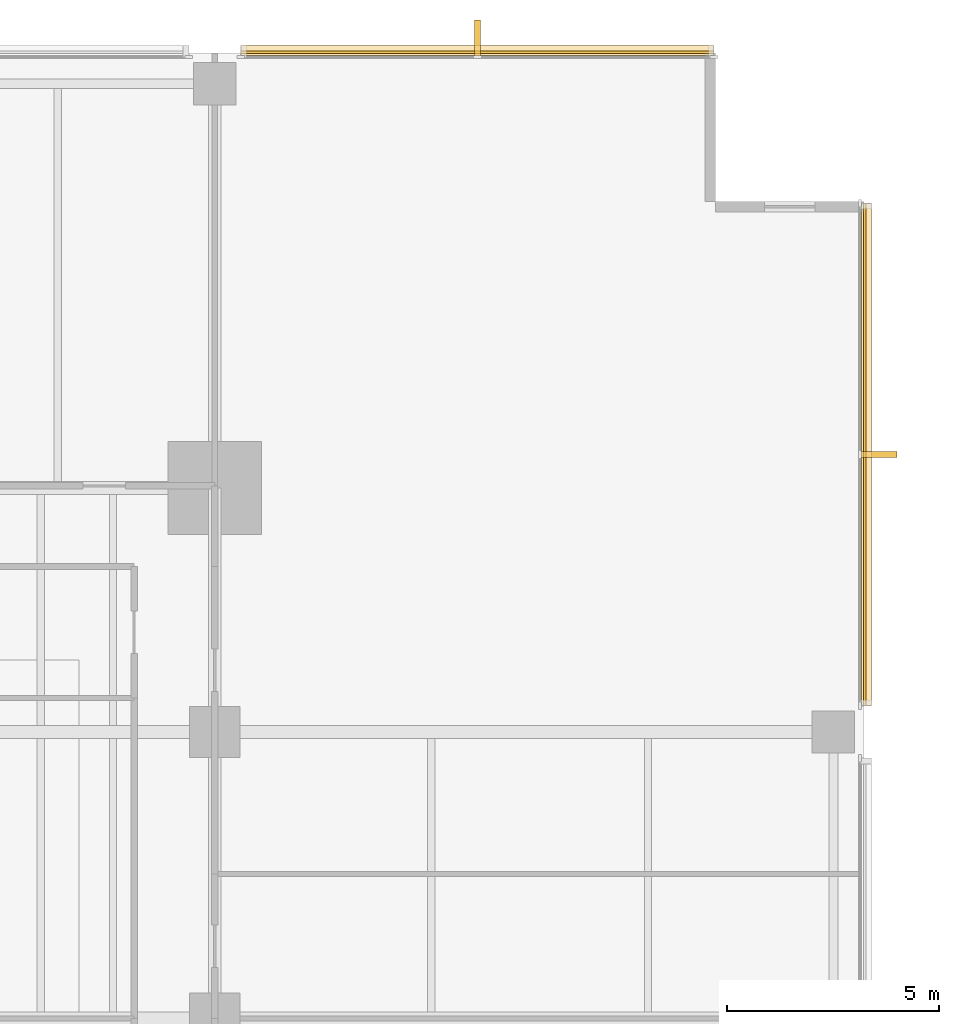
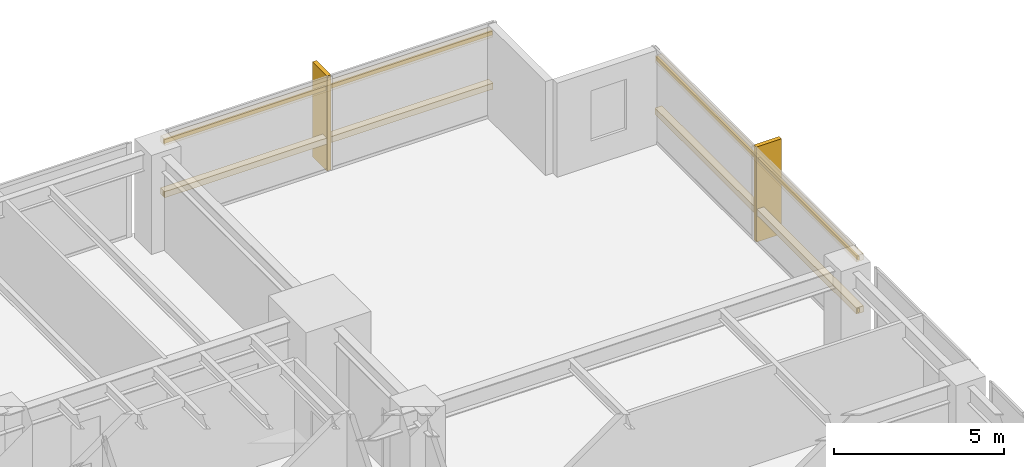
# One storey, part 15 of 15: 6 coverings, 4 shading devices.
"""IFC4 building model written with IfcOpenShell, lengths in metres."""

from ifc_helpers import new_model, si_unit, direction, frame, origin, origin_2d, place, context, subcontext, project, spatial, polyline, rectangle, outline, extrude, material, layer, layer_set, material_profile, profile_set, type_object, element, save


model = new_model("IFC4")

# Units and contexts
model_context = context("Model", 3, precision=1e-05, world=origin(), true_north=direction((0.0, 1.0)))
body_context = subcontext(model_context, "Body", "Model", "MODEL_VIEW")
ifc_project = project(units=[si_unit("LENGTHUNIT", "METRE"), si_unit("AREAUNIT", "SQUARE_METRE"), si_unit("VOLUMEUNIT", "CUBIC_METRE"), si_unit("PLANEANGLEUNIT", "RADIAN"), si_unit("MASSUNIT", "GRAM", prefix="KILO")], contexts=[model_context])

# Site, building, storey
site_placement = place(None, origin())
site = spatial("IfcSite", under=ifc_project, at=site_placement, CompositionType="ELEMENT")
building_placement = place(site_placement, origin())
building = spatial("IfcBuilding", under=site, at=building_placement, Name="Kinhvarn Gate Tower", CompositionType="ELEMENT")
storey_placement = place(building_placement, frame((0.0, 0.0, 57.550048828125)))
storey = spatial("IfcBuildingStorey", under=building, at=storey_placement, Name="L14", CompositionType="ELEMENT", Elevation=57.550048828125)

# Coverings
ifc_material = material(Name="Fired architectural terracotta", Category="masonry")
ifc_layer_1 = layer(ifc_material, 0.239990234375)
ifc_layer_set_1 = layer_set([ifc_layer_1], Name="Fired architectural terracotta")
covering_type_1 = type_object("IfcCoveringType", Name="COV-BAG-220", PredefinedType="CLADDING", material=ifc_layer_set_1)
for number, where, name in (
    (1, (0.0, 0.0, 0.93994140625), "Terracotta Horizontal Sunscreen Band TBG-220 (L14)"),
    (2, (0.0, 0.0, 2.81005859375), "Terracotta Horizontal Sunscreen Band TBG-220 (L14)"),
):
    element("IfcCovering", number, at=place(storey_placement, frame(where)), inside=storey, type_object=covering_type_1, Name=name, PredefinedType="CLADDING", context=body_context, shape_type="SweptSolid", body=[
        extrude(outline(polyline([(49.9599609375, 47.93994140625), (38.820068359375, 47.93994140625), (38.820068359375, 48.179931640625), (49.9599609375, 48.179931640625), (49.9599609375, 47.93994140625)])), origin(), (0.0, 0.0, 1.0), 0.219970703125),
    ])
for number, where, name in (
    (3, (0.0, 0.0, 0.93994140625), "Terracotta Horizontal Sunscreen Band TBG-220 (L14)"),
    (4, (0.0, 0.0, 2.81005859375), "Terracotta Horizontal Sunscreen Band TBG-220 (L14)"),
):
    element("IfcCovering", number, at=place(storey_placement, frame(where)), inside=storey, type_object=covering_type_1, Name=name, PredefinedType="CLADDING", context=body_context, shape_type="SweptSolid", body=[
        extrude(outline(polyline([(53.43994140625, 32.6201171875), (53.43994140625, 44.4599609375), (53.679931640625, 44.4599609375), (53.679931640625, 32.6201171875), (53.43994140625, 32.6201171875)])), origin(), (0.0, 0.0, 1.0), 0.219970703125),
    ])
ifc_layer_2 = layer(ifc_material, 0.139892578125)
ifc_layer_set_2 = layer_set([ifc_layer_2], Name="Fired architectural terracotta")
covering_type_2 = type_object("IfcCoveringType", Name="COV-FIN-850", PredefinedType="CLADDING", material=ifc_layer_set_2)
covering_1_placement = place(storey_placement, frame((0.0, 0.0, -0.02001953125)))
element("IfcCovering", 5, at=covering_1_placement, inside=storey, type_object=covering_type_2, Name="Vertical Terracotta Expressive Fin TFN-850 (L14)", PredefinedType="CLADDING", context=body_context, shape_type="SweptSolid", body=[
    extrude(outline(polyline([(44.4599609375, 47.929931640625), (44.320068359375, 47.929931640625), (44.320068359375, 48.780029296875), (44.4599609375, 48.780029296875), (44.4599609375, 47.929931640625)])), origin(), (0.0, 0.0, 1.0), 3.409912109375),
])
covering_2_placement = place(storey_placement, frame((0.0, 0.0, -0.02001953125)))
element("IfcCovering", 6, at=covering_2_placement, inside=storey, type_object=covering_type_2, Name="Vertical Terracotta Expressive Fin TFN-850 (L14)", PredefinedType="CLADDING", context=body_context, shape_type="SweptSolid", body=[
    extrude(outline(polyline([(53.429931640625, 38.469970703125), (53.429931640625, 38.610107421875), (54.280029296875, 38.610107421875), (54.280029296875, 38.469970703125), (53.429931640625, 38.469970703125)])), origin(), (0.0, 0.0, 1.0), 3.409912109375),
])

# Shading devices
ifc_material_profile = material_profile(ifc_material, rectangle(XDim=0.06005859375, YDim=0.139892578125, at=origin_2d()), Name="TC 60x140")
ifc_profile_set = profile_set([ifc_material_profile], Name="Fired architectural terracotta")
shading_device_type = type_object("IfcShadingDeviceType", Name="SHD-BAG-180", PredefinedType="USERDEFINED", material=ifc_profile_set)
for number, where, z_axis, x_axis, name in (
    (7, (49.9599609375, 48.014892578125, 1.050048828125), (-1.0, 0.0, 0.0), (0.0, -1.0, 0.0), "Fired Terracotta Baguette Screen Rod 60x140 mm (L14)"),
    (8, (49.9599609375, 48.014892578125, 2.919921875), (-1.0, 0.0, 0.0), (0.0, -1.0, 0.0), "Fired Terracotta Baguette Screen Rod 60x140 mm (L14)"),
):
    element("IfcShadingDevice", number, at=place(storey_placement, frame(where, z_axis=z_axis, x_axis=x_axis)), inside=storey, type_object=shading_device_type, Name=name, ObjectType="BAGUETTE", PredefinedType="USERDEFINED", context=body_context, shape_type="SweptSolid", body=[
        extrude(rectangle(XDim=0.06005859375, YDim=0.139892578125, at=origin_2d()), origin(), (0.0, 0.0, 1.0), 11.139892578125),
    ])
for number, where, z_axis, x_axis, name in (
    (9, (53.514892578125, 32.6201171875, 1.050048828125), (0.0, 1.0, 0.0), (-1.0, 0.0, 0.0), "Fired Terracotta Baguette Screen Rod 60x140 mm (L14)"),
    (10, (53.514892578125, 32.6201171875, 2.919921875), (0.0, 1.0, 0.0), (-1.0, 0.0, 0.0), "Fired Terracotta Baguette Screen Rod 60x140 mm (L14)"),
):
    element("IfcShadingDevice", number, at=place(storey_placement, frame(where, z_axis=z_axis, x_axis=x_axis)), inside=storey, type_object=shading_device_type, Name=name, ObjectType="BAGUETTE", PredefinedType="USERDEFINED", context=body_context, shape_type="SweptSolid", body=[
        extrude(rectangle(XDim=0.06005859375, YDim=0.139892578125, at=origin_2d()), origin(), (0.0, 0.0, 1.0), 11.83984375),
    ])

save(model, "model.ifc")
